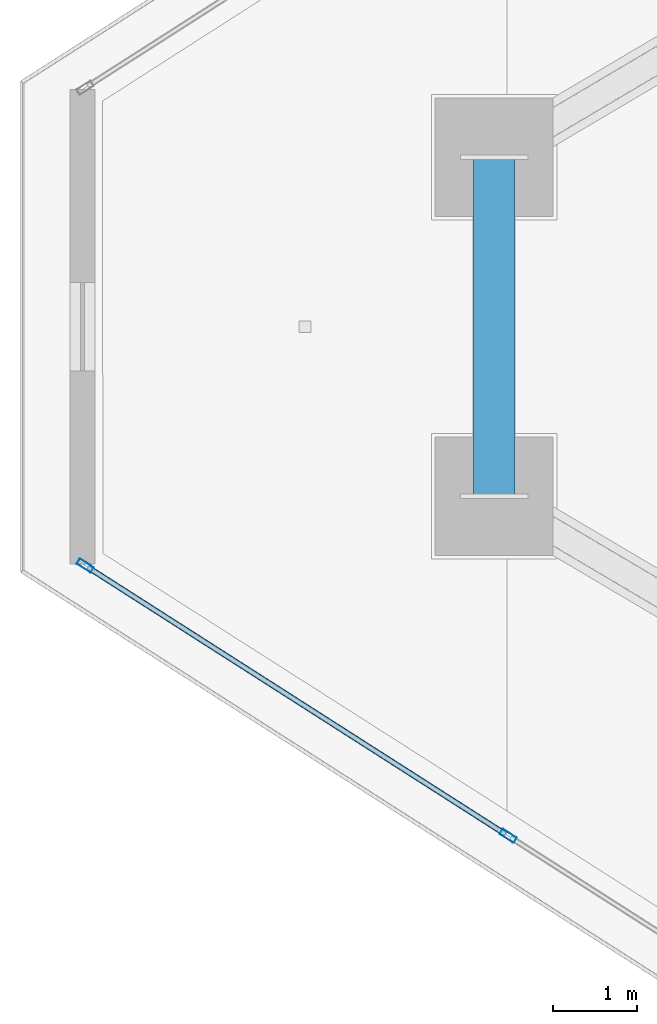
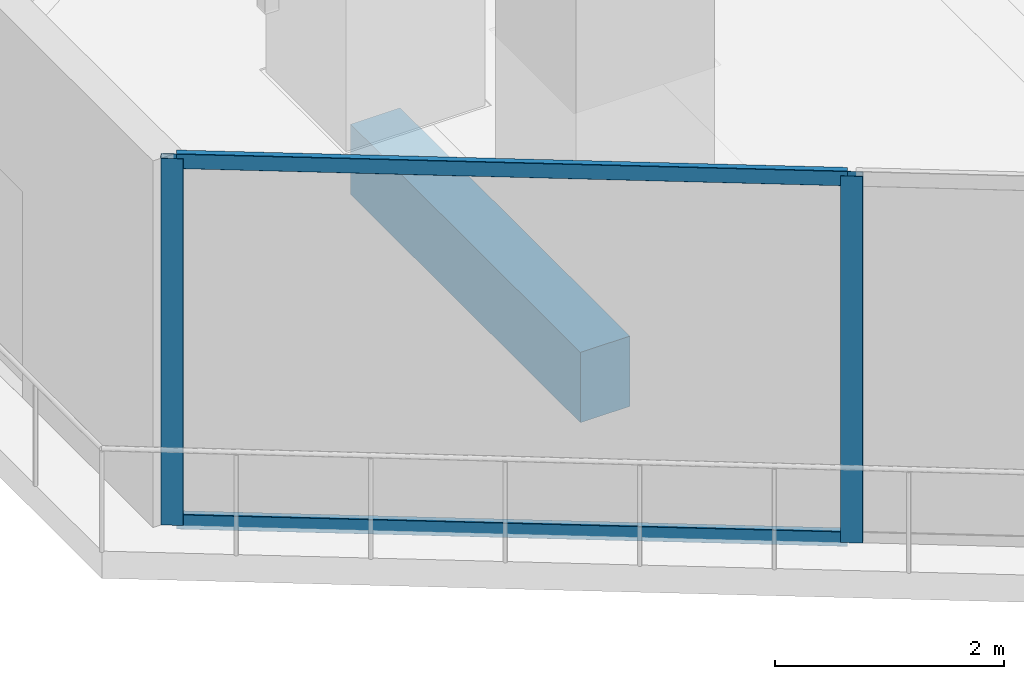
# One storey, part 5 of 30: 4 members, 1 beam, 1 element without a shape of its own.
"""IFC4 building model written with IfcOpenShell, lengths in metres."""

from ifc_helpers import new_model, si_unit, direction, frame, origin, origin_2d, place, context, subcontext, project, spatial, rectangle, hollow_rectangle, extrude, material, layer, layer_set, material_profile, profile_set, type_object, element, aggregate, save


model = new_model("IFC4")

# Units and contexts
model_context = context("Model", 3, precision=1e-05, world=origin(), true_north=direction((0.0, 1.0)))
body_context = subcontext(model_context, "Body", "Model", "MODEL_VIEW")
ifc_project = project(units=[si_unit("LENGTHUNIT", "METRE"), si_unit("AREAUNIT", "SQUARE_METRE"), si_unit("VOLUMEUNIT", "CUBIC_METRE"), si_unit("PLANEANGLEUNIT", "RADIAN"), si_unit("MASSUNIT", "GRAM", prefix="KILO")], contexts=[model_context])

# Site, building, storey
site_placement = place(None, origin())
site = spatial("IfcSite", under=ifc_project, at=site_placement, CompositionType="ELEMENT")
building_placement = place(site_placement, origin())
building = spatial("IfcBuilding", under=site, at=building_placement, Name="Qorvath Tower", CompositionType="ELEMENT")
storey_placement = place(building_placement, frame((0.0, 0.0, 301.800048828125)))
storey = spatial("IfcBuildingStorey", under=building, at=storey_placement, Name="L70", CompositionType="ELEMENT", Elevation=301.800048828125)

# Beam
ifc_material_1 = material(Name="Concrete C45/55", Category="concrete")
ifc_material_profile_1 = material_profile(ifc_material_1, rectangle(XDim=0.5, YDim=0.75, at=origin_2d()), Name="RCB 750x500")
ifc_profile_set_1 = profile_set([ifc_material_profile_1], Name="Concrete C45/55")
beam_type = type_object("IfcBeamType", Name="BM-RCB3", PredefinedType="SPANDREL", material=ifc_profile_set_1)
beam_placement = place(storey_placement, frame((-44.402587890625, 2.007568359375, -0.6650390625), z_axis=(0.0, -1.0, 0.0), x_axis=(1.0, 0.0, 0.0)))
element("IfcBeam", 1, at=beam_placement, inside=storey, type_object=beam_type, Name="Perimeter Loggia Frame Beam MC1-MC2 L70", PredefinedType="SPANDREL", context=body_context, shape_type="SweptSolid", body=[
    extrude(rectangle(XDim=0.5, YDim=0.75, at=origin_2d()), origin(), (0.0, 0.0, 1.0), 4.01513671875),
])

# Curtain wall, members
ifc_material_2 = material(Name="Anodised aluminium and triple low-E glass", Category="aluminium")
ifc_layer = layer(ifc_material_2, 0.179931640625)
ifc_layer_set = layer_set([ifc_layer], Name="CW-SYS-4")
curtain_wall_type = type_object("IfcCurtainWallType", Name="CW-SYS-4", PredefinedType="NOTDEFINED", material=ifc_layer_set)
curtain_wall_placement = place(storey_placement, origin())
curtain_wall = element("IfcCurtainWall", 2, at=curtain_wall_placement, inside=storey, type_object=curtain_wall_type, Name="Curtain Wall CW-4 CW-T-L70-2.1", PredefinedType="NOTDEFINED")
ifc_material_3 = material(Name="Anodised aluminium 6063-T6", Category="aluminium")
ifc_material_profile_2 = material_profile(ifc_material_3, hollow_rectangle(XDim=0.074951171875, YDim=0.199951171875, WallThickness=0.00390625, InnerFilletRadius=0.00390625, OuterFilletRadius=0.008056640625, at=origin_2d()), Name="CWM 200x75")
ifc_profile_set_2 = profile_set([ifc_material_profile_2], Name="Anodised aluminium 6063-T6")
member_type_1 = type_object("IfcMemberType", Name="CWM-200", PredefinedType="MULLION", material=ifc_profile_set_2)
member_1_placement = place(storey_placement, frame((-49.2451171875, -2.82958984375, 0.0), z_axis=(0.0, 0.0, 1.0), x_axis=(0.538527126724, 0.842608173342, 0.0)))
member_1 = element("IfcMember", 3, at=member_1_placement, type_object=member_type_1, Name="CW-4 mullion 1", PredefinedType="MULLION", context=body_context, shape_type="SweptSolid", body=[
    extrude(hollow_rectangle(XDim=0.074951171875, YDim=0.199951171875, WallThickness=0.00390625, InnerFilletRadius=0.00390625, OuterFilletRadius=0.008056640625, at=origin_2d()), origin(), (0.0, 0.0, 1.0), 3.909912109375),
])
member_2_placement = place(storey_placement, frame((-44.23681640625, -6.0302734375, 0.0), z_axis=(0.0, 0.0, 1.0), x_axis=(0.538527126724, 0.842608173342, 0.0)))
member_2 = element("IfcMember", 4, at=member_2_placement, type_object=member_type_1, Name="CW-4 mullion 2", PredefinedType="MULLION", context=body_context, shape_type="SweptSolid", body=[
    extrude(hollow_rectangle(XDim=0.074951171875, YDim=0.199951171875, WallThickness=0.00390625, InnerFilletRadius=0.00390625, OuterFilletRadius=0.008056640625, at=origin_2d()), origin(), (0.0, 0.0, 1.0), 3.909912109375),
])
ifc_material_4 = material(Name="Anodised aluminium 6063-T6", Category="aluminium")
ifc_material_profile_3 = material_profile(ifc_material_4, hollow_rectangle(XDim=0.06494140625, YDim=0.159912109375, WallThickness=0.00341796875, InnerFilletRadius=0.00341796875, OuterFilletRadius=0.007080078125, at=origin_2d()), Name="CWT 160x65")
ifc_profile_set_3 = profile_set([ifc_material_profile_3], Name="Anodised aluminium 6063-T6")
member_type_2 = type_object("IfcMemberType", Name="CWT-160", PredefinedType="USERDEFINED", material=ifc_profile_set_3)
member_3_placement = place(storey_placement, frame((-49.21337890625, -2.849609375, 0.032470703125), z_axis=(0.842596110321, -0.538546000702, 0.0), x_axis=(0.538546000702, 0.842596110321, 0.0)))
member_3 = element("IfcMember", 5, at=member_3_placement, type_object=member_type_2, Name="CW-4 transom 1.1", ObjectType="TRANSOM", PredefinedType="USERDEFINED", context=body_context, shape_type="SweptSolid", body=[
    extrude(hollow_rectangle(XDim=0.06494140625, YDim=0.159912109375, WallThickness=0.00341796875, InnerFilletRadius=0.00341796875, OuterFilletRadius=0.007080078125, at=origin_2d()), origin(), (0.0, 0.0, 1.0), 5.868896484375),
])
member_4_placement = place(storey_placement, frame((-49.21337890625, -2.849609375, 3.87744140625), z_axis=(0.842596110321, -0.538546000702, 0.0), x_axis=(0.538546000702, 0.842596110321, 0.0)))
member_4 = element("IfcMember", 6, at=member_4_placement, type_object=member_type_2, Name="CW-4 transom 1.2", ObjectType="TRANSOM", PredefinedType="USERDEFINED", context=body_context, shape_type="SweptSolid", body=[
    extrude(hollow_rectangle(XDim=0.06494140625, YDim=0.159912109375, WallThickness=0.00341796875, InnerFilletRadius=0.00341796875, OuterFilletRadius=0.007080078125, at=origin_2d()), origin(), (0.0, 0.0, 1.0), 5.868896484375),
])
aggregate(curtain_wall, [member_1, member_2, member_3, member_4])

save(model, "model.ifc")
